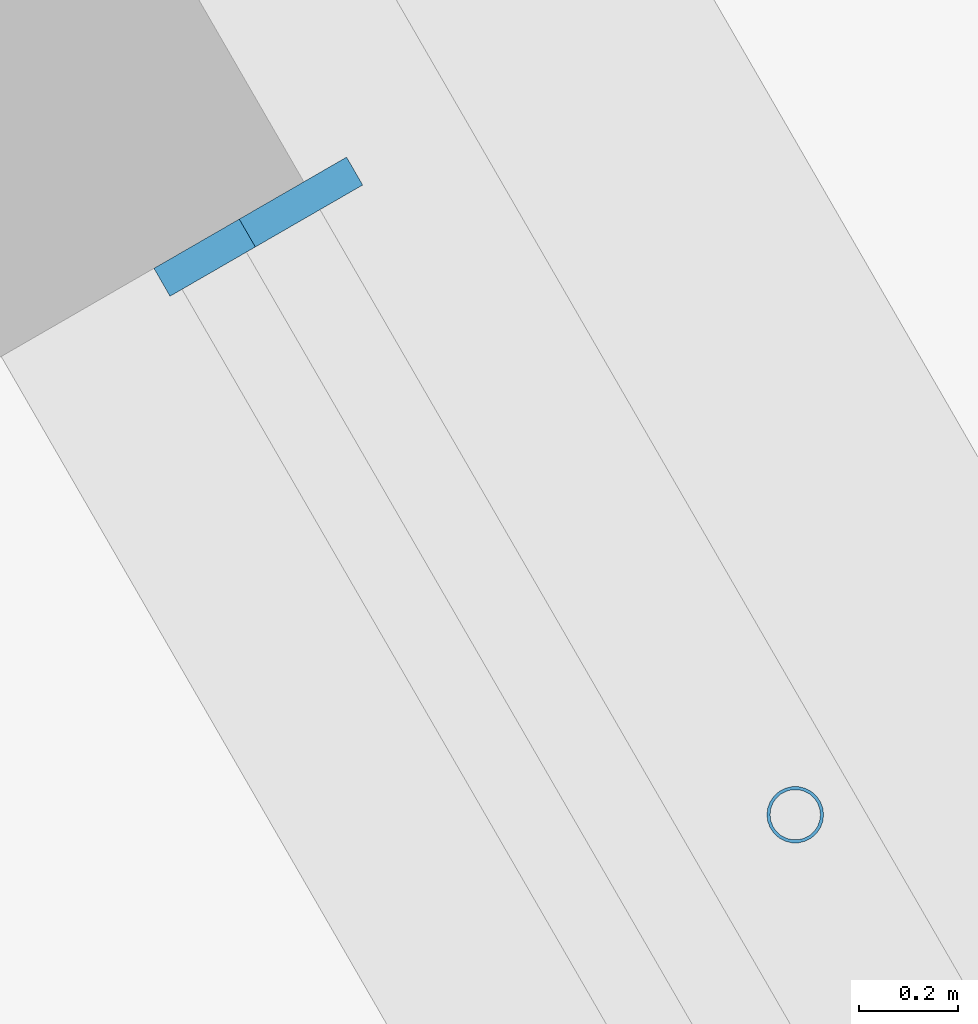
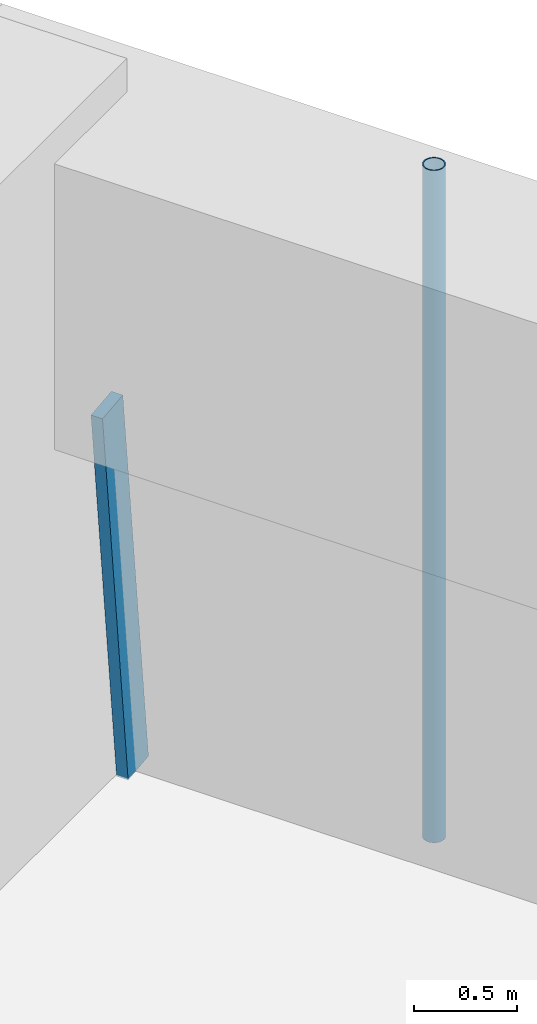
# One storey, part 15 of 24: 2 members, 1 element without a shape of its own.
"""IFC4 building model written with IfcOpenShell, lengths in metres."""

from ifc_helpers import new_model, si_unit, direction, frame, origin, origin_2d, place, context, subcontext, project, spatial, rectangle, hollow_circle, extrude, material, material_profile, profile_set, type_object, element, aggregate, save


model = new_model("IFC4")

# Units and contexts
model_context = context("Model", 3, precision=1e-05, world=origin(), true_north=direction((0.0, 1.0)))
body_context = subcontext(model_context, "Body", "Model", "MODEL_VIEW")
ifc_project = project(units=[si_unit("LENGTHUNIT", "METRE"), si_unit("AREAUNIT", "SQUARE_METRE"), si_unit("VOLUMEUNIT", "CUBIC_METRE"), si_unit("PLANEANGLEUNIT", "RADIAN"), si_unit("MASSUNIT", "GRAM", prefix="KILO")], contexts=[model_context])

# Site, building, storey
site_placement = place(None, origin())
site = spatial("IfcSite", under=ifc_project, at=site_placement, CompositionType="ELEMENT")
building_placement = place(site_placement, origin())
building = spatial("IfcBuilding", under=site, at=building_placement, Name="Tarfa Lantern Tower", CompositionType="ELEMENT")
storey_placement = place(building_placement, frame((0.0, 0.0, 123.699951171875)))
storey = spatial("IfcBuildingStorey", under=building, at=storey_placement, Name="L27", CompositionType="ELEMENT", Elevation=123.699951171875)

# Curtain wall, member
ifc_material_1 = material(Name="Aluminium framed curtain wall", Category="aluminium")
curtain_wall_type = type_object("IfcCurtainWallType", Name="CW2 CANTED GLAZING MID ZONE 2300", PredefinedType="USERDEFINED", material=ifc_material_1)
curtain_wall_placement = place(storey_placement, origin())
curtain_wall = element("IfcCurtainWall", 1, at=curtain_wall_placement, inside=storey, type_object=curtain_wall_type, Name="CW2 NE L27", ObjectType="CURTAIN WALL", PredefinedType="USERDEFINED")
ifc_material_2 = material(Name="Aluminium mullion", Category="aluminium")
ifc_material_profile_1 = material_profile(ifc_material_2, rectangle(XDim=0.06494140625, YDim=0.199951171875, at=origin_2d()), Name="AL MULLION 65x200")
ifc_profile_set_1 = profile_set([ifc_material_profile_1], Name="Aluminium mullion")
member_type_1 = type_object("IfcMemberType", Name="CWM1 MULLION 65x200", PredefinedType="MULLION", material=ifc_profile_set_1)
member_1_placement = place(storey_placement, frame((30.161376953125, 10.55908203125, 0.0), z_axis=(-0.093599904765, -0.0540283554, 0.994142844183), x_axis=(0.499919672301, -0.866071776036, 0.0)))
member_1 = element("IfcMember", 2, at=member_1_placement, type_object=member_type_1, Name="CW2 mullion 2", PredefinedType="MULLION", context=body_context, shape_type="SweptSolid", body=[
    extrude(rectangle(XDim=0.06494140625, YDim=0.199951171875, at=origin_2d()), origin(), (0.0, 0.0, 1.0), 2.313720703125),
])
aggregate(curtain_wall, [member_1])

# Member
ifc_material_3 = material(Name="Steel S355", Category="steel")
ifc_material_profile_2 = material_profile(ifc_material_3, hollow_circle(Radius=0.05712890625, WallThickness=0.00634765625, at=origin_2d()), Name="CHS114.3x6.3")
ifc_profile_set_2 = profile_set([ifc_material_profile_2], Name="Steel S355")
member_type_2 = type_object("IfcMemberType", Name="TR1 GREEN WALL TRELLIS CHS114.3x6.3", PredefinedType="USERDEFINED", material=ifc_profile_set_2)
member_2_placement = place(storey_placement, frame((31.136474609375, 9.31005859375, 0.0), z_axis=(0.0, 0.0, 1.0), x_axis=(1.0, 0.0, 0.0)))
element("IfcMember", 3, at=member_2_placement, inside=storey, type_object=member_type_2, Name="Trellis post NE 1", ObjectType="TRELLIS", PredefinedType="USERDEFINED", context=body_context, shape_type="SweptSolid", body=[
    extrude(hollow_circle(Radius=0.05712890625, WallThickness=0.00634765625, at=origin_2d()), origin(), (0.0, 0.0, 1.0), 4.0),
])

save(model, "model.ifc")
